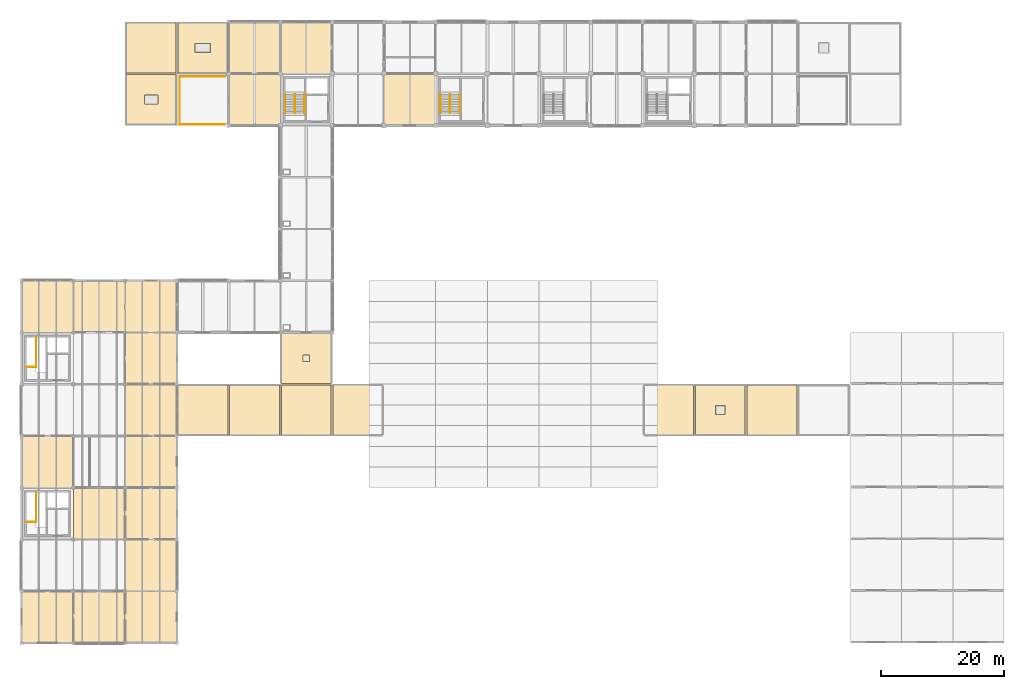
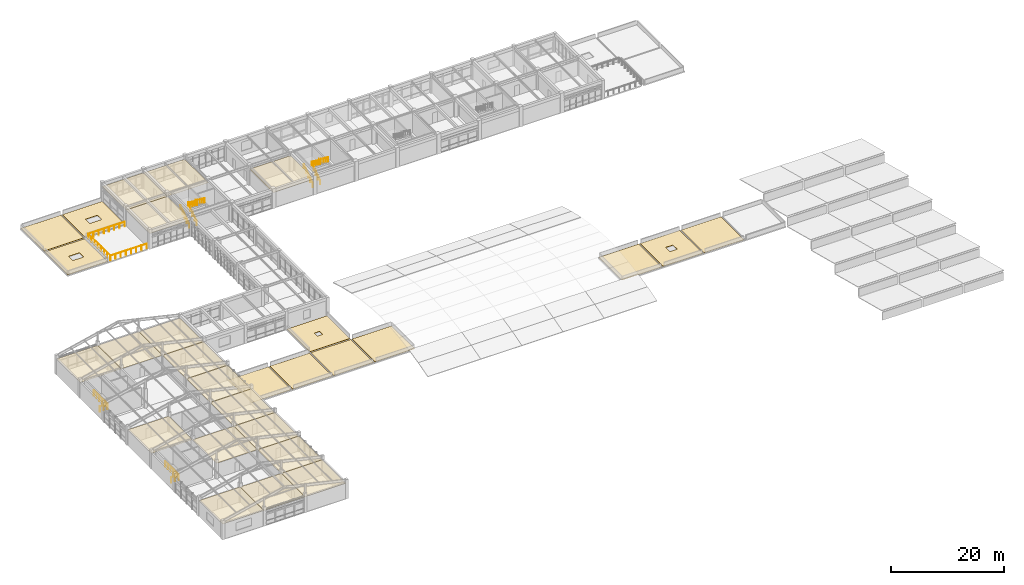
# One storey, part 39 of 40: 28 coverings, 13 railings.
"""IFC4 building model written with IfcOpenShell, lengths in metres."""

from ifc_helpers import new_model, si_unit, direction, frame, origin, origin_2d, place, context, subcontext, project, spatial, polyline, circle, outline, extrude, material, layer, layer_set, type_object, element, save


model = new_model("IFC4")

# Units and contexts
model_context = context("Model", 3, precision=1e-05, world=origin(), true_north=direction((0.0, 1.0)))
body_context = subcontext(model_context, "Body", "Model", "MODEL_VIEW")
ifc_project = project(units=[si_unit("LENGTHUNIT", "METRE"), si_unit("AREAUNIT", "SQUARE_METRE"), si_unit("VOLUMEUNIT", "CUBIC_METRE"), si_unit("PLANEANGLEUNIT", "RADIAN"), si_unit("MASSUNIT", "GRAM", prefix="KILO")], contexts=[model_context])

# Site, building, storey
site_placement = place(None, origin())
site = spatial("IfcSite", under=ifc_project, at=site_placement, CompositionType="ELEMENT")
building_placement = place(site_placement, origin())
building = spatial("IfcBuilding", under=site, at=building_placement, Name="Porcellanite Civic Hall", CompositionType="ELEMENT")
storey_placement = place(building_placement, frame((0.0, 0.0, 19.080078125)))
storey = spatial("IfcBuildingStorey", under=building, at=storey_placement, Name="L04", CompositionType="ELEMENT", Elevation=19.080078125)

# Coverings
ifc_material_1 = material(Name="Perforated acoustic mineral-fibre and spotted-gum batten ceiling")
ifc_layer_1 = layer(ifc_material_1, 0.02490234375)
ifc_layer_set_1 = layer_set([ifc_layer_1], Name="Perforated acoustic mineral-fibre and spotted-gum batten ceiling")
covering_type_1 = type_object("IfcCoveringType", Name="COV-CL1", PredefinedType="CEILING", material=ifc_layer_set_1)
covering_1_placement = place(storey_placement, frame((0.0, 0.0, 3.1650390625)))
element("IfcCovering", 1, at=covering_1_placement, inside=storey, type_object=covering_type_1, Name="Acoustic ceiling Administrative Appeals Room L04-01", PredefinedType="CEILING", context=body_context, shape_type="SweptSolid", body=[
    extrude(outline(polyline([(8.409912109375, 16.81005859375), (16.7900390625, 16.81005859375), (16.7900390625, 25.18994140625), (8.409912109375, 25.18994140625), (8.409912109375, 16.81005859375)])), origin(), (0.0, 0.0, 1.0), 0.02490234375),
])
covering_2_placement = place(storey_placement, frame((0.0, 0.0, 3.1650390625)))
element("IfcCovering", 2, at=covering_2_placement, inside=storey, type_object=covering_type_1, Name="Acoustic ceiling Administrative Appeals Room L04-03", PredefinedType="CEILING", context=body_context, shape_type="SweptSolid", body=[
    extrude(outline(polyline([(8.409912109375, 42.010009765625), (16.7900390625, 42.010009765625), (16.7900390625, 50.389892578125), (8.409912109375, 50.389892578125), (8.409912109375, 42.010009765625)])), origin(), (0.0, 0.0, 1.0), 0.02490234375),
])
covering_3_placement = place(storey_placement, frame((0.0, 0.0, 3.1650390625)))
element("IfcCovering", 3, at=covering_3_placement, inside=storey, type_object=covering_type_1, Name="Acoustic ceiling Administrative Appeals Room L04-05", PredefinedType="CEILING", context=body_context, shape_type="SweptSolid", body=[
    extrude(outline(polyline([(8.409912109375, 67.2099609375), (16.7900390625, 67.2099609375), (16.7900390625, 75.590087890625), (8.409912109375, 75.590087890625), (8.409912109375, 67.2099609375)])), origin(), (0.0, 0.0, 1.0), 0.02490234375),
])
covering_4_placement = place(storey_placement, frame((0.0, 0.0, 3.1650390625)))
element("IfcCovering", 4, at=covering_4_placement, inside=storey, type_object=covering_type_1, Name="Acoustic ceiling Mediation Suite L04-06", PredefinedType="CEILING", context=body_context, shape_type="SweptSolid", body=[
    extrude(outline(polyline([(16.81005859375, 16.81005859375), (25.18994140625, 16.81005859375), (25.18994140625, 25.18994140625), (16.81005859375, 25.18994140625), (16.81005859375, 16.81005859375)])), origin(), (0.0, 0.0, 1.0), 0.02490234375),
])
covering_5_placement = place(storey_placement, frame((0.0, 0.0, 3.1650390625)))
element("IfcCovering", 5, at=covering_5_placement, inside=storey, type_object=covering_type_1, Name="Acoustic ceiling Administrative Appeals Room L04-08", PredefinedType="CEILING", context=body_context, shape_type="SweptSolid", body=[
    extrude(outline(polyline([(16.81005859375, 33.610107421875), (25.18994140625, 33.610107421875), (25.18994140625, 41.989990234375), (16.81005859375, 41.989990234375), (16.81005859375, 33.610107421875)])), origin(), (0.0, 0.0, 1.0), 0.02490234375),
])
covering_6_placement = place(storey_placement, frame((0.0, 0.0, 3.1650390625)))
element("IfcCovering", 6, at=covering_6_placement, inside=storey, type_object=covering_type_1, Name="Acoustic ceiling Committee Room L04-11", PredefinedType="CEILING", context=body_context, shape_type="SweptSolid", body=[
    extrude(outline(polyline([(16.81005859375, 67.2099609375), (25.18994140625, 67.2099609375), (25.18994140625, 75.590087890625), (16.81005859375, 75.590087890625), (16.81005859375, 67.2099609375)])), origin(), (0.0, 0.0, 1.0), 0.02490234375),
])
covering_7_placement = place(storey_placement, frame((0.0, 0.0, 3.1650390625)))
element("IfcCovering", 7, at=covering_7_placement, inside=storey, type_object=covering_type_1, Name="Acoustic ceiling Tribunal Hearing Room L04-12", PredefinedType="CEILING", context=body_context, shape_type="SweptSolid", body=[
    extrude(outline(polyline([(25.2099609375, 16.81005859375), (33.590087890625, 16.81005859375), (33.590087890625, 25.18994140625), (25.2099609375, 25.18994140625), (25.2099609375, 16.81005859375)])), origin(), (0.0, 0.0, 1.0), 0.02490234375),
])
covering_8_placement = place(storey_placement, frame((0.0, 0.0, 3.1650390625)))
element("IfcCovering", 8, at=covering_8_placement, inside=storey, type_object=covering_type_1, Name="Acoustic ceiling Administrative Appeals Room L04-13", PredefinedType="CEILING", context=body_context, shape_type="SweptSolid", body=[
    extrude(outline(polyline([(25.2099609375, 25.2099609375), (33.590087890625, 25.2099609375), (33.590087890625, 33.590087890625), (25.2099609375, 33.590087890625), (25.2099609375, 25.2099609375)])), origin(), (0.0, 0.0, 1.0), 0.02490234375),
])
covering_9_placement = place(storey_placement, frame((0.0, 0.0, 3.1650390625)))
element("IfcCovering", 9, at=covering_9_placement, inside=storey, type_object=covering_type_1, Name="Acoustic ceiling Committee Room L04-14", PredefinedType="CEILING", context=body_context, shape_type="SweptSolid", body=[
    extrude(outline(polyline([(25.2099609375, 33.610107421875), (33.590087890625, 33.610107421875), (33.590087890625, 41.989990234375), (25.2099609375, 41.989990234375), (25.2099609375, 33.610107421875)])), origin(), (0.0, 0.0, 1.0), 0.02490234375),
])
covering_10_placement = place(storey_placement, frame((0.0, 0.0, 3.1650390625)))
element("IfcCovering", 10, at=covering_10_placement, inside=storey, type_object=covering_type_1, Name="Acoustic ceiling Deliberation Conference Room L04-15", PredefinedType="CEILING", context=body_context, shape_type="SweptSolid", body=[
    extrude(outline(polyline([(25.2099609375, 42.010009765625), (33.590087890625, 42.010009765625), (33.590087890625, 50.389892578125), (25.2099609375, 50.389892578125), (25.2099609375, 42.010009765625)])), origin(), (0.0, 0.0, 1.0), 0.02490234375),
])
covering_11_placement = place(storey_placement, frame((0.0, 0.0, 3.1650390625)))
element("IfcCovering", 11, at=covering_11_placement, inside=storey, type_object=covering_type_1, Name="Acoustic ceiling Mediation Suite L04-16", PredefinedType="CEILING", context=body_context, shape_type="SweptSolid", body=[
    extrude(outline(polyline([(25.2099609375, 50.409912109375), (33.590087890625, 50.409912109375), (33.590087890625, 58.7900390625), (25.2099609375, 58.7900390625), (25.2099609375, 50.409912109375)])), origin(), (0.0, 0.0, 1.0), 0.02490234375),
])
covering_12_placement = place(storey_placement, frame((0.0, 0.0, 3.1650390625)))
element("IfcCovering", 12, at=covering_12_placement, inside=storey, type_object=covering_type_1, Name="Acoustic ceiling Tribunal Hearing Room L04-17", PredefinedType="CEILING", context=body_context, shape_type="SweptSolid", body=[
    extrude(outline(polyline([(25.2099609375, 58.81005859375), (33.590087890625, 58.81005859375), (33.590087890625, 67.18994140625), (25.2099609375, 67.18994140625), (25.2099609375, 58.81005859375)])), origin(), (0.0, 0.0, 1.0), 0.02490234375),
])
covering_13_placement = place(storey_placement, frame((0.0, 0.0, 3.1650390625)))
element("IfcCovering", 13, at=covering_13_placement, inside=storey, type_object=covering_type_1, Name="Acoustic ceiling Administrative Appeals Room L04-18", PredefinedType="CEILING", context=body_context, shape_type="SweptSolid", body=[
    extrude(outline(polyline([(25.2099609375, 67.2099609375), (33.590087890625, 67.2099609375), (33.590087890625, 75.590087890625), (25.2099609375, 75.590087890625), (25.2099609375, 67.2099609375)])), origin(), (0.0, 0.0, 1.0), 0.02490234375),
])
covering_14_placement = place(storey_placement, frame((0.0, 0.0, 3.1650390625)))
element("IfcCovering", 14, at=covering_14_placement, inside=storey, type_object=covering_type_1, Name="Acoustic ceiling Climate Resilience Directorate L04-21", PredefinedType="CEILING", context=body_context, shape_type="SweptSolid", body=[
    extrude(outline(polyline([(42.010009765625, 100.81005859375), (50.389892578125, 100.81005859375), (50.389892578125, 109.18994140625), (42.010009765625, 109.18994140625), (42.010009765625, 100.81005859375)])), origin(), (0.0, 0.0, 1.0), 0.02490234375),
])
covering_15_placement = place(storey_placement, frame((0.0, 0.0, 3.1650390625)))
element("IfcCovering", 15, at=covering_15_placement, inside=storey, type_object=covering_type_1, Name="Acoustic ceiling Internal Audit Suite L04-22", PredefinedType="CEILING", context=body_context, shape_type="SweptSolid", body=[
    extrude(outline(polyline([(42.010009765625, 109.2099609375), (50.389892578125, 109.2099609375), (50.389892578125, 117.590087890625), (42.010009765625, 117.590087890625), (42.010009765625, 109.2099609375)])), origin(), (0.0, 0.0, 1.0), 0.02490234375),
])
covering_16_placement = place(storey_placement, frame((0.0, 0.0, 3.1650390625)))
element("IfcCovering", 16, at=covering_16_placement, inside=storey, type_object=covering_type_1, Name="Acoustic ceiling Internal Audit Suite L04-27", PredefinedType="CEILING", context=body_context, shape_type="SweptSolid", body=[
    extrude(outline(polyline([(50.409912109375, 109.2099609375), (58.7900390625, 109.2099609375), (58.7900390625, 117.590087890625), (50.409912109375, 117.590087890625), (50.409912109375, 109.2099609375)])), origin(), (0.0, 0.0, 1.0), 0.02490234375),
])
covering_17_placement = place(storey_placement, frame((0.0, 0.0, 3.1650390625)))
element("IfcCovering", 17, at=covering_17_placement, inside=storey, type_object=covering_type_1, Name="Acoustic ceiling Internal Audit Suite L04-30", PredefinedType="CEILING", context=body_context, shape_type="SweptSolid", body=[
    extrude(outline(polyline([(67.2099609375, 100.81005859375), (75.590087890625, 100.81005859375), (75.590087890625, 109.18994140625), (67.2099609375, 109.18994140625), (67.2099609375, 100.81005859375)])), origin(), (0.0, 0.0, 1.0), 0.02490234375),
])
ifc_material_2 = material(Name="Insulated light-reflective TPO monsoon roofing membrane")
ifc_layer_2 = layer(ifc_material_2, 0.080078125)
ifc_layer_set_2 = layer_set([ifc_layer_2], Name="Insulated light-reflective TPO monsoon roofing membrane")
covering_type_2 = type_object("IfcCoveringType", Name="COV-RF1", PredefinedType="ROOFING", material=ifc_layer_set_2)
covering_18_placement = place(storey_placement, origin())
element("IfcCovering", 18, at=covering_18_placement, inside=storey, type_object=covering_type_2, Name="Roof membrane L04 4-13", PredefinedType="ROOFING", context=body_context, shape_type="SweptSolid", body=[
    extrude(outline(polyline([(25.35009765625, 100.949951171875), (33.449951171875, 100.949951171875), (33.449951171875, 109.050048828125), (25.35009765625, 109.050048828125), (25.35009765625, 100.949951171875)]), holes=[polyline([(28.300048828125, 104.25), (30.5, 104.25), (30.5, 105.75), (28.300048828125, 105.75), (28.300048828125, 104.25)])]), origin(), (0.0, 0.0, 1.0), 0.079833984375),
])
covering_19_placement = place(storey_placement, origin())
element("IfcCovering", 19, at=covering_19_placement, inside=storey, type_object=covering_type_2, Name="Roof membrane L04 5-14", PredefinedType="ROOFING", context=body_context, shape_type="SweptSolid", body=[
    extrude(outline(polyline([(33.75, 109.35009765625), (41.85009765625, 109.35009765625), (41.85009765625, 117.449951171875), (33.75, 117.449951171875), (33.75, 109.35009765625)]), holes=[polyline([(36.550048828125, 112.64990234375), (39.050048828125, 112.64990234375), (39.050048828125, 114.14990234375), (36.550048828125, 114.14990234375), (36.550048828125, 112.64990234375)])]), origin(), (0.0, 0.0, 1.0), 0.079833984375),
])
covering_20_placement = place(storey_placement, origin())
element("IfcCovering", 20, at=covering_20_placement, inside=storey, type_object=covering_type_2, Name="Roof membrane L04 7-8", PredefinedType="ROOFING", context=body_context, shape_type="SweptSolid", body=[
    extrude(outline(polyline([(50.550048828125, 58.949951171875), (58.64990234375, 58.949951171875), (58.64990234375, 67.050048828125), (50.550048828125, 67.050048828125), (50.550048828125, 58.949951171875)]), holes=[polyline([(54.050048828125, 62.449951171875), (55.14990234375, 62.449951171875), (55.14990234375, 63.550048828125), (54.050048828125, 63.550048828125), (54.050048828125, 62.449951171875)])]), origin(), (0.0, 0.0, 1.0), 0.079833984375),
])
covering_21_placement = place(storey_placement, origin())
element("IfcCovering", 21, at=covering_21_placement, inside=storey, type_object=covering_type_2, Name="Roof membrane L04 15-7", PredefinedType="ROOFING", context=body_context, shape_type="SweptSolid", body=[
    extrude(outline(polyline([(117.75, 50.550048828125), (125.85009765625, 50.550048828125), (125.85009765625, 58.64990234375), (117.75, 58.64990234375), (117.75, 50.550048828125)]), holes=[polyline([(121.050048828125, 53.85009765625), (122.550048828125, 53.85009765625), (122.550048828125, 55.35009765625), (121.050048828125, 55.35009765625), (121.050048828125, 53.85009765625)])]), origin(), (0.0, 0.0, 1.0), 0.079833984375),
])
ifc_material_3 = material(Name="Insulated light-reflective TPO monsoon roofing membrane")
ifc_layer_3 = layer(ifc_material_3, 0.070068359375)
ifc_layer_set_3 = layer_set([ifc_layer_3], Name="Insulated light-reflective TPO monsoon roofing membrane")
covering_type_3 = type_object("IfcCoveringType", Name="COV-RF2", PredefinedType="ROOFING", material=ifc_layer_set_3)
covering_22_placement = place(storey_placement, origin())
element("IfcCovering", 22, at=covering_22_placement, inside=storey, type_object=covering_type_3, Name="Roof membrane L04 4-14", PredefinedType="ROOFING", context=body_context, shape_type="SweptSolid", body=[
    extrude(outline(polyline([(25.35009765625, 109.35009765625), (33.449951171875, 109.35009765625), (33.449951171875, 117.449951171875), (25.35009765625, 117.449951171875), (25.35009765625, 109.35009765625)])), origin(), (0.0, 0.0, 1.0), 0.06982421875),
])
covering_23_placement = place(storey_placement, origin())
element("IfcCovering", 23, at=covering_23_placement, inside=storey, type_object=covering_type_3, Name="Roof membrane L04 6-7", PredefinedType="ROOFING", context=body_context, shape_type="SweptSolid", body=[
    extrude(outline(polyline([(42.14990234375, 50.550048828125), (50.25, 50.550048828125), (50.25, 58.64990234375), (42.14990234375, 58.64990234375), (42.14990234375, 50.550048828125)])), origin(), (0.0, 0.0, 1.0), 0.06982421875),
])
covering_24_placement = place(storey_placement, origin())
element("IfcCovering", 24, at=covering_24_placement, inside=storey, type_object=covering_type_3, Name="Roof membrane L04 8-7", PredefinedType="ROOFING", context=body_context, shape_type="SweptSolid", body=[
    extrude(outline(polyline([(58.949951171875, 50.550048828125), (67.050048828125, 50.550048828125), (67.050048828125, 58.64990234375), (58.949951171875, 58.64990234375), (58.949951171875, 50.550048828125)])), origin(), (0.0, 0.0, 1.0), 0.06982421875),
])
covering_25_placement = place(storey_placement, origin())
element("IfcCovering", 25, at=covering_25_placement, inside=storey, type_object=covering_type_3, Name="Roof membrane L04 16-7", PredefinedType="ROOFING", context=body_context, shape_type="SweptSolid", body=[
    extrude(outline(polyline([(126.14990234375, 50.550048828125), (134.25, 50.550048828125), (134.25, 58.64990234375), (126.14990234375, 58.64990234375), (126.14990234375, 50.550048828125)])), origin(), (0.0, 0.0, 1.0), 0.06982421875),
])
ifc_material_4 = material(Name="Insulated light-reflective TPO monsoon roofing membrane")
ifc_layer_4 = layer(ifc_material_4, 0.06005859375)
ifc_layer_set_4 = layer_set([ifc_layer_4], Name="Insulated light-reflective TPO monsoon roofing membrane")
covering_type_4 = type_object("IfcCoveringType", Name="COV-RF3", PredefinedType="ROOFING", material=ifc_layer_set_4)
covering_26_placement = place(storey_placement, origin())
element("IfcCovering", 26, at=covering_26_placement, inside=storey, type_object=covering_type_4, Name="Roof membrane L04 5-7", PredefinedType="ROOFING", context=body_context, shape_type="SweptSolid", body=[
    extrude(outline(polyline([(33.75, 50.550048828125), (41.85009765625, 50.550048828125), (41.85009765625, 58.64990234375), (33.75, 58.64990234375), (33.75, 50.550048828125)])), origin(), (0.0, 0.0, 1.0), 0.059814453125),
])
covering_27_placement = place(storey_placement, origin())
element("IfcCovering", 27, at=covering_27_placement, inside=storey, type_object=covering_type_4, Name="Roof membrane L04 7-7", PredefinedType="ROOFING", context=body_context, shape_type="SweptSolid", body=[
    extrude(outline(polyline([(50.550048828125, 50.550048828125), (58.64990234375, 50.550048828125), (58.64990234375, 58.64990234375), (50.550048828125, 58.64990234375), (50.550048828125, 50.550048828125)])), origin(), (0.0, 0.0, 1.0), 0.059814453125),
])
covering_28_placement = place(storey_placement, origin())
element("IfcCovering", 28, at=covering_28_placement, inside=storey, type_object=covering_type_4, Name="Roof membrane L04 14-7", PredefinedType="ROOFING", context=body_context, shape_type="SweptSolid", body=[
    extrude(outline(polyline([(109.35009765625, 50.550048828125), (117.449951171875, 50.550048828125), (117.449951171875, 58.64990234375), (109.35009765625, 58.64990234375), (109.35009765625, 50.550048828125)])), origin(), (0.0, 0.0, 1.0), 0.059814453125),
])

# Railings
ifc_material_5 = material(Name="Stainless steel 316", Category="steel")
railing_type_1 = type_object("IfcRailingType", Name="RL-BAL112", PredefinedType="BALUSTRADE", material=ifc_material_5)
for number, where, name in (
    (29, (34.050048828125, 100.9599609375, 0.0), "Terrace balustrade L04 S 5-13"),
    (30, (34.050048828125, 108.75, 0.0), "Terrace balustrade L04 N 5-13"),
):
    element("IfcRailing", number, at=place(storey_placement, frame(where)), inside=storey, type_object=railing_type_1, Name=name, PredefinedType="BALUSTRADE", context=body_context, shape_type="SweptSolid", body=[
        extrude(circle(Radius=0.02490234375, at=origin_2d()), frame((0.0, 0.0, 1.09521484375), z_axis=(1.0, 0.0, 0.0), x_axis=(0.0, 1.0, 0.0)), (0.0, 0.0, 1.0), 7.39990234375),
        extrude(circle(Radius=0.02197265625, at=origin_2d()), origin(), (0.0, 0.0, 1.0), 1.070068359375),
        extrude(circle(Radius=0.02197265625, at=origin_2d()), frame((1.05712890625, 0.0, 0.0)), (0.0, 0.0, 1.0), 1.070068359375),
        extrude(circle(Radius=0.02197265625, at=origin_2d()), frame((2.1142578125, 0.0, 0.0)), (0.0, 0.0, 1.0), 1.070068359375),
        extrude(circle(Radius=0.02197265625, at=origin_2d()), frame((3.17138671875, 0.0, 0.0)), (0.0, 0.0, 1.0), 1.070068359375),
        extrude(circle(Radius=0.02197265625, at=origin_2d()), frame((4.228515625, 0.0, 0.0)), (0.0, 0.0, 1.0), 1.070068359375),
        extrude(circle(Radius=0.02197265625, at=origin_2d()), frame((5.28564453125, 0.0, 0.0)), (0.0, 0.0, 1.0), 1.070068359375),
        extrude(circle(Radius=0.02197265625, at=origin_2d()), frame((6.3427734375, 0.0, 0.0)), (0.0, 0.0, 1.0), 1.070068359375),
        extrude(circle(Radius=0.02197265625, at=origin_2d()), frame((7.39990234375, 0.0, 0.0)), (0.0, 0.0, 1.0), 1.070068359375),
    ])
railing_1_placement = place(storey_placement, frame((34.050048828125, 100.9599609375, 0.0)))
element("IfcRailing", 31, at=railing_1_placement, inside=storey, type_object=railing_type_1, Name="Terrace balustrade L04 W 5-13", PredefinedType="BALUSTRADE", context=body_context, shape_type="SweptSolid", body=[
    extrude(circle(Radius=0.02490234375, at=origin_2d()), frame((0.0, 0.0, 1.09521484375), z_axis=(0.0, 1.0, 0.0), x_axis=(-1.0, 0.0, 0.0)), (0.0, 0.0, 1.0), 7.7900390625),
    extrude(circle(Radius=0.02197265625, at=origin_2d()), origin(), (0.0, 0.0, 1.0), 1.070068359375),
    extrude(circle(Radius=0.02197265625, at=origin_2d()), frame((0.0, 1.11279296875, 0.0)), (0.0, 0.0, 1.0), 1.070068359375),
    extrude(circle(Radius=0.02197265625, at=origin_2d()), frame((0.0, 2.225830078125, 0.0)), (0.0, 0.0, 1.0), 1.070068359375),
    extrude(circle(Radius=0.02197265625, at=origin_2d()), frame((0.0, 3.338623046875, 0.0)), (0.0, 0.0, 1.0), 1.070068359375),
    extrude(circle(Radius=0.02197265625, at=origin_2d()), frame((0.0, 4.451416015625, 0.0)), (0.0, 0.0, 1.0), 1.070068359375),
    extrude(circle(Radius=0.02197265625, at=origin_2d()), frame((0.0, 5.564208984375, 0.0)), (0.0, 0.0, 1.0), 1.070068359375),
    extrude(circle(Radius=0.02197265625, at=origin_2d()), frame((0.0, 6.67724609375, 0.0)), (0.0, 0.0, 1.0), 1.070068359375),
    extrude(circle(Radius=0.02197265625, at=origin_2d()), frame((0.0, 7.7900390625, 0.0)), (0.0, 0.0, 1.0), 1.070068359375),
])
ifc_material_6 = material(Name="Brushed stainless steel 316", Category="steel")
railing_type_2 = type_object("IfcRailingType", Name="RL-GR114", PredefinedType="GUARDRAIL", material=ifc_material_6)
railing_2_placement = place(storey_placement, frame((9.2099609375, 36.419921875, 0.0)))
element("IfcRailing", 32, at=railing_2_placement, inside=storey, type_object=railing_type_2, Name="Stairwell top guard ST-01 L04", PredefinedType="GUARDRAIL", context=body_context, shape_type="SweptSolid", body=[
    extrude(circle(Radius=0.02490234375, at=origin_2d()), frame((0.0, 0.0, 1.11474609375), z_axis=(1.0, 0.0, 0.0), x_axis=(0.0, 1.0, 0.0)), (0.0, 0.0, 1.0), 1.550048828125),
    extrude(circle(Radius=0.02490234375, at=origin_2d()), frame((1.550048828125, 0.0, 1.11474609375), z_axis=(0.0, 1.0, 0.0), x_axis=(-1.0, 0.0, 0.0)), (0.0, 0.0, 1.0), 4.7900390625),
    extrude(circle(Radius=0.02099609375, at=origin_2d()), origin(), (0.0, 0.0, 1.0), 1.08984375),
    extrude(circle(Radius=0.02099609375, at=origin_2d()), frame((0.77490234375, 0.0, 0.0)), (0.0, 0.0, 1.0), 1.08984375),
    extrude(circle(Radius=0.02099609375, at=origin_2d()), frame((1.550048828125, 0.0, 0.0)), (0.0, 0.0, 1.0), 1.08984375),
    extrude(circle(Radius=0.02099609375, at=origin_2d()), frame((1.550048828125, 0.9580078125, 0.0)), (0.0, 0.0, 1.0), 1.08984375),
    extrude(circle(Radius=0.02099609375, at=origin_2d()), frame((1.550048828125, 1.916015625, 0.0)), (0.0, 0.0, 1.0), 1.08984375),
    extrude(circle(Radius=0.02099609375, at=origin_2d()), frame((1.550048828125, 2.8740234375, 0.0)), (0.0, 0.0, 1.0), 1.08984375),
    extrude(circle(Radius=0.02099609375, at=origin_2d()), frame((1.550048828125, 3.83203125, 0.0)), (0.0, 0.0, 1.0), 1.08984375),
    extrude(circle(Radius=0.02099609375, at=origin_2d()), frame((1.550048828125, 4.7900390625, 0.0)), (0.0, 0.0, 1.0), 1.08984375),
])
railing_3_placement = place(storey_placement, frame((9.2099609375, 61.6201171875, 0.0)))
element("IfcRailing", 33, at=railing_3_placement, inside=storey, type_object=railing_type_2, Name="Stairwell top guard ST-02 L04", PredefinedType="GUARDRAIL", context=body_context, shape_type="SweptSolid", body=[
    extrude(circle(Radius=0.02490234375, at=origin_2d()), frame((0.0, 0.0, 1.11474609375), z_axis=(1.0, 0.0, 0.0), x_axis=(0.0, 1.0, 0.0)), (0.0, 0.0, 1.0), 1.550048828125),
    extrude(circle(Radius=0.02490234375, at=origin_2d()), frame((1.550048828125, 0.0, 1.11474609375), z_axis=(0.0, 1.0, 0.0), x_axis=(-1.0, 0.0, 0.0)), (0.0, 0.0, 1.0), 4.789794921875),
    extrude(circle(Radius=0.02099609375, at=origin_2d()), origin(), (0.0, 0.0, 1.0), 1.08984375),
    extrude(circle(Radius=0.02099609375, at=origin_2d()), frame((0.77490234375, 0.0, 0.0)), (0.0, 0.0, 1.0), 1.08984375),
    extrude(circle(Radius=0.02099609375, at=origin_2d()), frame((1.550048828125, 0.0, 0.0)), (0.0, 0.0, 1.0), 1.08984375),
    extrude(circle(Radius=0.02099609375, at=origin_2d()), frame((1.550048828125, 0.9580078125, 0.0)), (0.0, 0.0, 1.0), 1.08984375),
    extrude(circle(Radius=0.02099609375, at=origin_2d()), frame((1.550048828125, 1.916015625, 0.0)), (0.0, 0.0, 1.0), 1.08984375),
    extrude(circle(Radius=0.02099609375, at=origin_2d()), frame((1.550048828125, 2.873779296875, 0.0)), (0.0, 0.0, 1.0), 1.08984375),
    extrude(circle(Radius=0.02099609375, at=origin_2d()), frame((1.550048828125, 3.831787109375, 0.0)), (0.0, 0.0, 1.0), 1.08984375),
    extrude(circle(Radius=0.02099609375, at=origin_2d()), frame((1.550048828125, 4.789794921875, 0.0)), (0.0, 0.0, 1.0), 1.08984375),
])
ifc_material_7 = material(Name="Brushed stainless steel 316", Category="steel")
railing_type_3 = type_object("IfcRailingType", Name="RL-HR920", PredefinedType="HANDRAIL", material=ifc_material_7)
railing_4_placement = place(storey_placement, frame((51.18505859375, 102.800048828125, 0.0)))
element("IfcRailing", 34, at=railing_4_placement, inside=storey, type_object=railing_type_3, Name="Stair handrail ST-03 L04 1", PredefinedType="HANDRAIL", context=body_context, shape_type="SweptSolid", body=[
    extrude(circle(Radius=0.02197265625, at=origin_2d()), frame((0.0, 0.0, 0.89794921875), z_axis=(0.0, 0.813826661234, 0.581107705564), x_axis=(-1.0, 0.0, 0.0)), (0.0, 0.0, 1.0), 3.716796875),
    extrude(circle(Radius=0.01904296875, at=origin_2d()), origin(), (0.0, 0.0, 1.0), 0.8759765625),
    extrude(circle(Radius=0.01904296875, at=origin_2d()), frame((0.0, 0.75634765625, 0.5400390625)), (0.0, 0.0, 1.0), 0.8759765625),
    extrude(circle(Radius=0.01904296875, at=origin_2d()), frame((0.0, 1.512451171875, 1.080078125)), (0.0, 0.0, 1.0), 0.8759765625),
    extrude(circle(Radius=0.01904296875, at=origin_2d()), frame((0.0, 2.2685546875, 1.619873046875)), (0.0, 0.0, 1.0), 0.8759765625),
    extrude(circle(Radius=0.01904296875, at=origin_2d()), frame((0.0, 3.02490234375, 2.159912109375)), (0.0, 0.0, 1.0), 0.8759765625),
])
railing_5_placement = place(storey_placement, frame((52.764892578125, 105.824951171875, 2.159912109375)))
element("IfcRailing", 35, at=railing_5_placement, inside=storey, type_object=railing_type_3, Name="Stair handrail ST-03 L04 3", PredefinedType="HANDRAIL", context=body_context, shape_type="SweptSolid", body=[
    extrude(circle(Radius=0.02197265625, at=origin_2d()), frame((0.0, 0.0, 0.89794921875), z_axis=(0.0, -0.813826661234, 0.581107705564), x_axis=(1.0, 0.0, 0.0)), (0.0, 0.0, 1.0), 3.716796875),
    extrude(circle(Radius=0.01904296875, at=origin_2d()), origin(), (0.0, 0.0, 1.0), 0.8759765625),
    extrude(circle(Radius=0.01904296875, at=origin_2d()), frame((0.0, -0.75634765625, 0.5400390625)), (0.0, 0.0, 1.0), 0.8759765625),
    extrude(circle(Radius=0.01904296875, at=origin_2d()), frame((0.0, -1.512451171875, 1.080078125)), (0.0, 0.0, 1.0), 0.8759765625),
    extrude(circle(Radius=0.01904296875, at=origin_2d()), frame((0.0, -2.2685546875, 1.619873046875)), (0.0, 0.0, 1.0), 0.8759765625),
    extrude(circle(Radius=0.01904296875, at=origin_2d()), frame((0.0, -3.02490234375, 2.159912109375)), (0.0, 0.0, 1.0), 0.8759765625),
])
railing_6_placement = place(storey_placement, frame((76.385009765625, 102.800048828125, 0.0)))
element("IfcRailing", 36, at=railing_6_placement, inside=storey, type_object=railing_type_3, Name="Stair handrail ST-09 L04 1", PredefinedType="HANDRAIL", context=body_context, shape_type="SweptSolid", body=[
    extrude(circle(Radius=0.02197265625, at=origin_2d()), frame((0.0, 0.0, 0.89794921875), z_axis=(0.0, 0.813826661234, 0.581107705564), x_axis=(-1.0, 0.0, 0.0)), (0.0, 0.0, 1.0), 3.716796875),
    extrude(circle(Radius=0.01904296875, at=origin_2d()), origin(), (0.0, 0.0, 1.0), 0.8759765625),
    extrude(circle(Radius=0.01904296875, at=origin_2d()), frame((0.0, 0.75634765625, 0.5400390625)), (0.0, 0.0, 1.0), 0.8759765625),
    extrude(circle(Radius=0.01904296875, at=origin_2d()), frame((0.0, 1.512451171875, 1.080078125)), (0.0, 0.0, 1.0), 0.8759765625),
    extrude(circle(Radius=0.01904296875, at=origin_2d()), frame((0.0, 2.2685546875, 1.619873046875)), (0.0, 0.0, 1.0), 0.8759765625),
    extrude(circle(Radius=0.01904296875, at=origin_2d()), frame((0.0, 3.02490234375, 2.159912109375)), (0.0, 0.0, 1.0), 0.8759765625),
])
railing_7_placement = place(storey_placement, frame((77.965087890625, 105.824951171875, 2.159912109375)))
element("IfcRailing", 37, at=railing_7_placement, inside=storey, type_object=railing_type_3, Name="Stair handrail ST-09 L04 3", PredefinedType="HANDRAIL", context=body_context, shape_type="SweptSolid", body=[
    extrude(circle(Radius=0.02197265625, at=origin_2d()), frame((0.0, 0.0, 0.89794921875), z_axis=(0.0, -0.813826661234, 0.581107705564), x_axis=(1.0, 0.0, 0.0)), (0.0, 0.0, 1.0), 3.716796875),
    extrude(circle(Radius=0.01904296875, at=origin_2d()), origin(), (0.0, 0.0, 1.0), 0.8759765625),
    extrude(circle(Radius=0.01904296875, at=origin_2d()), frame((0.0, -0.75634765625, 0.5400390625)), (0.0, 0.0, 1.0), 0.8759765625),
    extrude(circle(Radius=0.01904296875, at=origin_2d()), frame((0.0, -1.512451171875, 1.080078125)), (0.0, 0.0, 1.0), 0.8759765625),
    extrude(circle(Radius=0.01904296875, at=origin_2d()), frame((0.0, -2.2685546875, 1.619873046875)), (0.0, 0.0, 1.0), 0.8759765625),
    extrude(circle(Radius=0.01904296875, at=origin_2d()), frame((0.0, -3.02490234375, 2.159912109375)), (0.0, 0.0, 1.0), 0.8759765625),
])
ifc_material_8 = material(Name="Brushed stainless steel 316", Category="steel")
railing_type_4 = type_object("IfcRailingType", Name="RL-HR950", PredefinedType="HANDRAIL", material=ifc_material_8)
railing_8_placement = place(storey_placement, frame((52.735107421875, 102.800048828125, 0.0)))
element("IfcRailing", 38, at=railing_8_placement, inside=storey, type_object=railing_type_4, Name="Stair handrail ST-03 L04 2", PredefinedType="HANDRAIL", context=body_context, shape_type="SweptSolid", body=[
    extrude(circle(Radius=0.02197265625, at=origin_2d()), frame((0.0, 0.0, 0.927978515625), z_axis=(0.0, 0.813826661234, 0.581107705564), x_axis=(-1.0, 0.0, 0.0)), (0.0, 0.0, 1.0), 3.716796875),
    extrude(circle(Radius=0.01904296875, at=origin_2d()), origin(), (0.0, 0.0, 1.0), 0.906005859375),
    extrude(circle(Radius=0.01904296875, at=origin_2d()), frame((0.0, 0.75634765625, 0.5400390625)), (0.0, 0.0, 1.0), 0.906005859375),
    extrude(circle(Radius=0.01904296875, at=origin_2d()), frame((0.0, 1.512451171875, 1.080078125)), (0.0, 0.0, 1.0), 0.906005859375),
    extrude(circle(Radius=0.01904296875, at=origin_2d()), frame((0.0, 2.2685546875, 1.619873046875)), (0.0, 0.0, 1.0), 0.906005859375),
    extrude(circle(Radius=0.01904296875, at=origin_2d()), frame((0.0, 3.02490234375, 2.159912109375)), (0.0, 0.0, 1.0), 0.906005859375),
])
railing_9_placement = place(storey_placement, frame((54.31494140625, 105.824951171875, 2.159912109375)))
element("IfcRailing", 39, at=railing_9_placement, inside=storey, type_object=railing_type_4, Name="Stair handrail ST-03 L04 4", PredefinedType="HANDRAIL", context=body_context, shape_type="SweptSolid", body=[
    extrude(circle(Radius=0.02197265625, at=origin_2d()), frame((0.0, 0.0, 0.927978515625), z_axis=(0.0, -0.813826661234, 0.581107705564), x_axis=(1.0, 0.0, 0.0)), (0.0, 0.0, 1.0), 3.716796875),
    extrude(circle(Radius=0.01904296875, at=origin_2d()), origin(), (0.0, 0.0, 1.0), 0.906005859375),
    extrude(circle(Radius=0.01904296875, at=origin_2d()), frame((0.0, -0.75634765625, 0.5400390625)), (0.0, 0.0, 1.0), 0.906005859375),
    extrude(circle(Radius=0.01904296875, at=origin_2d()), frame((0.0, -1.512451171875, 1.080078125)), (0.0, 0.0, 1.0), 0.906005859375),
    extrude(circle(Radius=0.01904296875, at=origin_2d()), frame((0.0, -2.2685546875, 1.619873046875)), (0.0, 0.0, 1.0), 0.906005859375),
    extrude(circle(Radius=0.01904296875, at=origin_2d()), frame((0.0, -3.02490234375, 2.159912109375)), (0.0, 0.0, 1.0), 0.906005859375),
])
railing_10_placement = place(storey_placement, frame((77.93505859375, 102.800048828125, 0.0)))
element("IfcRailing", 40, at=railing_10_placement, inside=storey, type_object=railing_type_4, Name="Stair handrail ST-09 L04 2", PredefinedType="HANDRAIL", context=body_context, shape_type="SweptSolid", body=[
    extrude(circle(Radius=0.02197265625, at=origin_2d()), frame((0.0, 0.0, 0.927978515625), z_axis=(0.0, 0.813826661234, 0.581107705564), x_axis=(-1.0, 0.0, 0.0)), (0.0, 0.0, 1.0), 3.716796875),
    extrude(circle(Radius=0.01904296875, at=origin_2d()), origin(), (0.0, 0.0, 1.0), 0.906005859375),
    extrude(circle(Radius=0.01904296875, at=origin_2d()), frame((0.0, 0.75634765625, 0.5400390625)), (0.0, 0.0, 1.0), 0.906005859375),
    extrude(circle(Radius=0.01904296875, at=origin_2d()), frame((0.0, 1.512451171875, 1.080078125)), (0.0, 0.0, 1.0), 0.906005859375),
    extrude(circle(Radius=0.01904296875, at=origin_2d()), frame((0.0, 2.2685546875, 1.619873046875)), (0.0, 0.0, 1.0), 0.906005859375),
    extrude(circle(Radius=0.01904296875, at=origin_2d()), frame((0.0, 3.02490234375, 2.159912109375)), (0.0, 0.0, 1.0), 0.906005859375),
])
railing_11_placement = place(storey_placement, frame((79.514892578125, 105.824951171875, 2.159912109375)))
element("IfcRailing", 41, at=railing_11_placement, inside=storey, type_object=railing_type_4, Name="Stair handrail ST-09 L04 4", PredefinedType="HANDRAIL", context=body_context, shape_type="SweptSolid", body=[
    extrude(circle(Radius=0.02197265625, at=origin_2d()), frame((0.0, 0.0, 0.927978515625), z_axis=(0.0, -0.813826661234, 0.581107705564), x_axis=(1.0, 0.0, 0.0)), (0.0, 0.0, 1.0), 3.716796875),
    extrude(circle(Radius=0.01904296875, at=origin_2d()), origin(), (0.0, 0.0, 1.0), 0.906005859375),
    extrude(circle(Radius=0.01904296875, at=origin_2d()), frame((0.0, -0.75634765625, 0.5400390625)), (0.0, 0.0, 1.0), 0.906005859375),
    extrude(circle(Radius=0.01904296875, at=origin_2d()), frame((0.0, -1.512451171875, 1.080078125)), (0.0, 0.0, 1.0), 0.906005859375),
    extrude(circle(Radius=0.01904296875, at=origin_2d()), frame((0.0, -2.2685546875, 1.619873046875)), (0.0, 0.0, 1.0), 0.906005859375),
    extrude(circle(Radius=0.01904296875, at=origin_2d()), frame((0.0, -3.02490234375, 2.159912109375)), (0.0, 0.0, 1.0), 0.906005859375),
])

save(model, "model.ifc")
